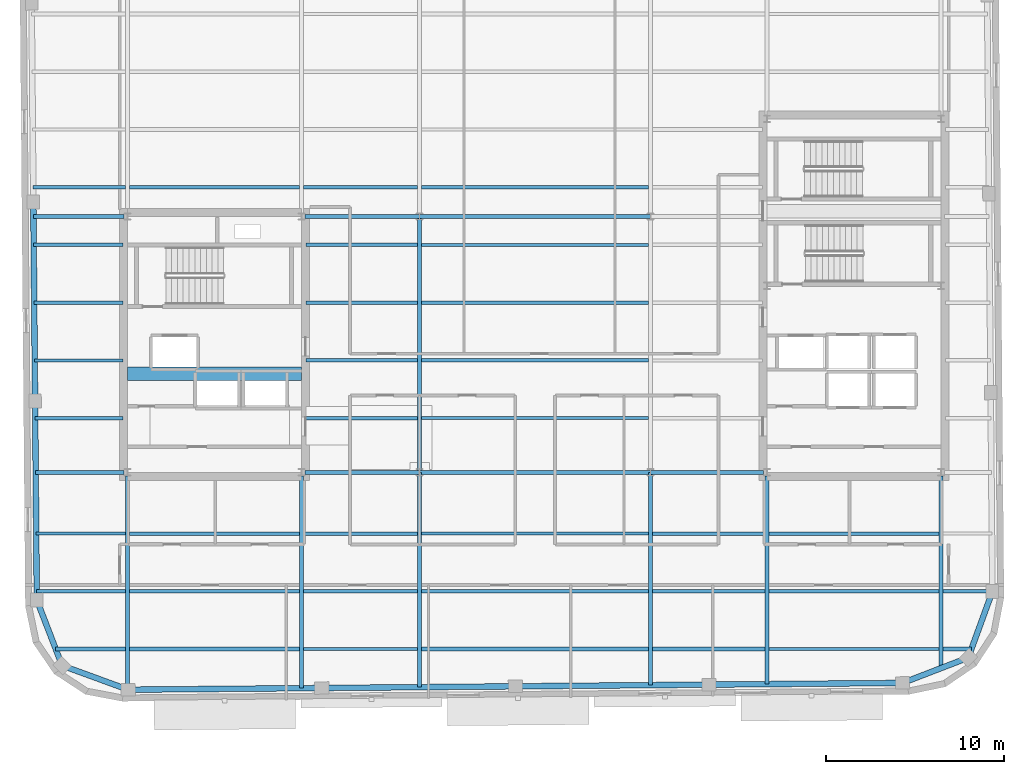
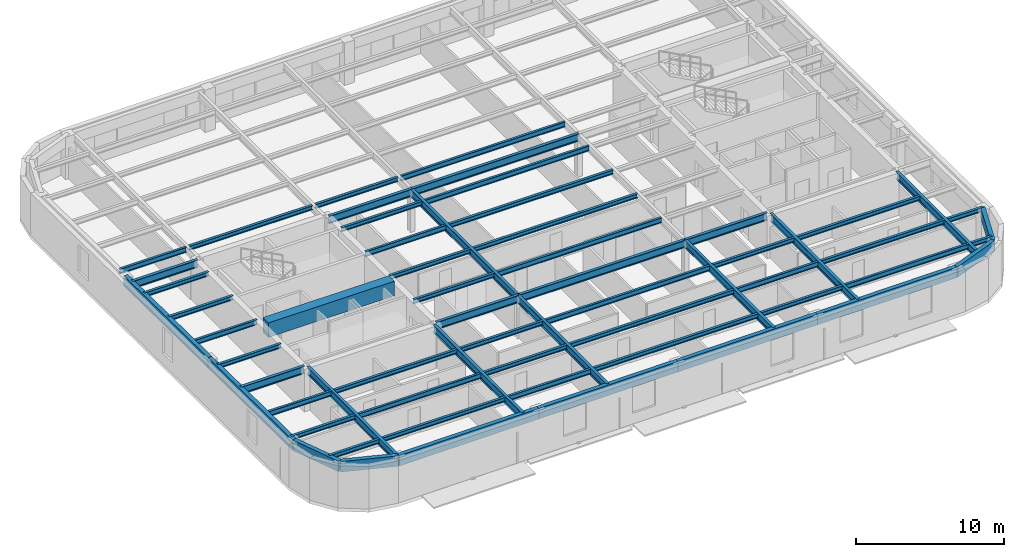
# One storey, part 4 of 13: 61 beams.
"""IFC4 building model written with IfcOpenShell, lengths in metres."""

from ifc_helpers import new_model, si_unit, direction, frame, origin, origin_2d, place, context, subcontext, project, spatial, rectangle, hollow_rectangle, i_section, extrude, material, material_profile, profile_set, type_object, element, save


model = new_model("IFC4")

# Units and contexts
model_context = context("Model", 3, precision=1e-05, world=origin(), true_north=direction((0.0, 1.0)))
body_context = subcontext(model_context, "Body", "Model", "MODEL_VIEW")
ifc_project = project(units=[si_unit("LENGTHUNIT", "METRE"), si_unit("AREAUNIT", "SQUARE_METRE"), si_unit("VOLUMEUNIT", "CUBIC_METRE"), si_unit("PLANEANGLEUNIT", "RADIAN"), si_unit("MASSUNIT", "GRAM", prefix="KILO")], contexts=[model_context])

# Site, building, storey
site_placement = place(None, origin())
site = spatial("IfcSite", under=ifc_project, at=site_placement, CompositionType="ELEMENT")
building_placement = place(site_placement, origin())
building = spatial("IfcBuilding", under=site, at=building_placement, Name="Kolvaren Arena Tower", CompositionType="ELEMENT")
storey_placement = place(building_placement, frame((0.0, 0.0, 286.14990234375)))
storey = spatial("IfcBuildingStorey", under=building, at=storey_placement, Name="L70", CompositionType="ELEMENT", Elevation=286.14990234375)

# Beams
ifc_material_1 = material(Name="Steel CSA G40.21 350W", Category="steel")
ifc_material_profile_1 = material_profile(ifc_material_1, i_section(OverallWidth=0.180908203125, OverallDepth=0.4169921875, WebThickness=0.010986328125, FlangeThickness=0.018310546875, FilletRadius=0.011962890625, at=origin_2d()), Name="W410x85")
ifc_profile_set_1 = profile_set([ifc_material_profile_1], Name="Steel CSA G40.21 350W")
beam_type_1 = type_object("IfcBeamType", Name="BEAM-F3", PredefinedType="BEAM", material=ifc_profile_set_1)
beam_1_placement = place(storey_placement, frame((24.464111328125, 9.5, 3.271484375), z_axis=(1.0, 0.0, 0.0), x_axis=(0.0, 1.0, 0.0)))
element("IfcBeam", 1, at=beam_1_placement, inside=storey, type_object=beam_type_1, Name="Composite Floor Beam (L70)", PredefinedType="BEAM", context=body_context, shape_type="SweptSolid", body=[
    extrude(i_section(OverallWidth=0.180908203125, OverallDepth=0.4169921875, WebThickness=0.010986328125, FlangeThickness=0.018310546875, FilletRadius=0.011962890625, at=origin_2d()), origin(), (0.0, 0.0, 1.0), 6.421875),
])
for number, where, z_axis, x_axis, name in (
    (2, (50.6640625, 9.5, 3.271484375), (1.0, 0.0, 0.0), (0.0, 1.0, 0.0), "Composite Floor Beam (L70)"),
    (3, (14.6640625, 12.75, 3.271484375), (1.0, 0.0, 0.0), (0.0, 1.0, 0.0), "Composite Floor Beam (L70)"),
):
    element("IfcBeam", number, at=place(storey_placement, frame(where, z_axis=z_axis, x_axis=x_axis)), inside=storey, type_object=beam_type_1, Name=name, PredefinedType="BEAM", context=body_context, shape_type="SweptSolid", body=[
        extrude(i_section(OverallWidth=0.180908203125, OverallDepth=0.4169921875, WebThickness=0.010986328125, FlangeThickness=0.018310546875, FilletRadius=0.011962890625, at=origin_2d()), origin(), (0.0, 0.0, 1.0), 9.572021484375),
    ])
beam_2_placement = place(storey_placement, frame((44.114013671875, 12.75, 3.271484375), z_axis=(1.0, 0.0, 0.0), x_axis=(0.0, 1.0, 0.0)))
element("IfcBeam", 4, at=beam_2_placement, inside=storey, type_object=beam_type_1, Name="Composite Floor Beam (L70)", PredefinedType="BEAM", context=body_context, shape_type="SweptSolid", body=[
    extrude(i_section(OverallWidth=0.180908203125, OverallDepth=0.4169921875, WebThickness=0.010986328125, FlangeThickness=0.018310546875, FilletRadius=0.011962890625, at=origin_2d()), origin(), (0.0, 0.0, 1.0), 6.322021484375),
])
beam_3_placement = place(storey_placement, frame((9.4150390625, 16.0, 3.271484375), z_axis=(1.0, 0.0, 0.0), x_axis=(0.0, 1.0, 0.0)))
element("IfcBeam", 5, at=beam_3_placement, inside=storey, type_object=beam_type_1, Name="Composite Floor Beam (L70)", PredefinedType="BEAM", context=body_context, shape_type="SweptSolid", body=[
    extrude(i_section(OverallWidth=0.180908203125, OverallDepth=0.4169921875, WebThickness=0.010986328125, FlangeThickness=0.018310546875, FilletRadius=0.011962890625, at=origin_2d()), origin(), (0.0, 0.0, 1.0), 5.02099609375),
])
for number, where, z_axis, x_axis, name in (
    (6, (31.114013671875, 16.0, 3.271484375), (1.0, 0.0, 0.0), (0.0, 1.0, 0.0), "Composite Floor Beam (L70)"),
    (7, (31.114013671875, 22.5, 3.271484375), (1.0, 0.0, 0.0), (0.0, 1.0, 0.0), "Composite Floor Beam (L70)"),
):
    element("IfcBeam", number, at=place(storey_placement, frame(where, z_axis=z_axis, x_axis=x_axis)), inside=storey, type_object=beam_type_1, Name=name, PredefinedType="BEAM", context=body_context, shape_type="SweptSolid", body=[
        extrude(i_section(OverallWidth=0.180908203125, OverallDepth=0.4169921875, WebThickness=0.010986328125, FlangeThickness=0.018310546875, FilletRadius=0.011962890625, at=origin_2d()), origin(), (0.0, 0.0, 1.0), 12.77197265625),
    ])
beam_4_placement = place(storey_placement, frame((9.330078125, 25.75, 3.271484375), z_axis=(1.0, 0.0, 0.0), x_axis=(0.0, 1.0, 0.0)))
element("IfcBeam", 8, at=beam_4_placement, inside=storey, type_object=beam_type_1, Name="Composite Floor Beam (L70)", PredefinedType="BEAM", context=body_context, shape_type="SweptSolid", body=[
    extrude(i_section(OverallWidth=0.180908203125, OverallDepth=0.4169921875, WebThickness=0.010986328125, FlangeThickness=0.018310546875, FilletRadius=0.011962890625, at=origin_2d()), origin(), (0.0, 0.0, 1.0), 4.974853515625),
])
beam_5_placement = place(storey_placement, frame((24.594970703125, 29.0, 3.271484375), z_axis=(1.0, 0.0, 0.0), x_axis=(0.0, 1.0, 0.0)))
element("IfcBeam", 9, at=beam_5_placement, inside=storey, type_object=beam_type_1, Name="Composite Floor Beam (L70)", PredefinedType="BEAM", context=body_context, shape_type="SweptSolid", body=[
    extrude(i_section(OverallWidth=0.180908203125, OverallDepth=0.4169921875, WebThickness=0.010986328125, FlangeThickness=0.018310546875, FilletRadius=0.011962890625, at=origin_2d()), origin(), (0.0, 0.0, 1.0), 6.291015625),
])
beam_6_placement = place(storey_placement, frame((31.114013671875, 32.25, 3.271484375), z_axis=(1.0, 0.0, 0.0), x_axis=(0.0, 1.0, 0.0)))
element("IfcBeam", 10, at=beam_6_placement, inside=storey, type_object=beam_type_1, Name="Composite Floor Beam (L70)", PredefinedType="BEAM", context=body_context, shape_type="SweptSolid", body=[
    extrude(i_section(OverallWidth=0.180908203125, OverallDepth=0.4169921875, WebThickness=0.010986328125, FlangeThickness=0.018310546875, FilletRadius=0.011962890625, at=origin_2d()), origin(), (0.0, 0.0, 1.0), 12.77197265625),
])
beam_7_placement = place(storey_placement, frame((9.244873046875, 35.5, 3.271484375), z_axis=(1.0, 0.0, 0.0), x_axis=(0.0, 1.0, 0.0)))
element("IfcBeam", 11, at=beam_7_placement, inside=storey, type_object=beam_type_1, Name="Composite Floor Beam (L70)", PredefinedType="BEAM", context=body_context, shape_type="SweptSolid", body=[
    extrude(i_section(OverallWidth=0.180908203125, OverallDepth=0.4169921875, WebThickness=0.010986328125, FlangeThickness=0.018310546875, FilletRadius=0.011962890625, at=origin_2d()), origin(), (0.0, 0.0, 1.0), 5.191162109375),
])
beam_8_placement = place(storey_placement, frame((31.114013671875, 35.5, 3.271484375), z_axis=(1.0, 0.0, 0.0), x_axis=(0.0, 1.0, 0.0)))
element("IfcBeam", 12, at=beam_8_placement, inside=storey, type_object=beam_type_1, Name="Composite Floor Beam (L70)", PredefinedType="BEAM", context=body_context, shape_type="SweptSolid", body=[
    extrude(i_section(OverallWidth=0.180908203125, OverallDepth=0.4169921875, WebThickness=0.010986328125, FlangeThickness=0.018310546875, FilletRadius=0.011962890625, at=origin_2d()), origin(), (0.0, 0.0, 1.0), 12.77197265625),
])
ifc_material_2 = material(Name="Concrete 60 MPa", Category="concrete")
ifc_material_profile_2 = material_profile(ifc_material_2, rectangle(XDim=0.75, YDim=1.199951171875, at=origin_2d()), Name="RC-750x1200")
ifc_profile_set_2 = profile_set([ifc_material_profile_2], Name="Concrete 60 MPa")
beam_type_2 = type_object("IfcBeamType", Name="CB-CORE-2", PredefinedType="BEAM", material=ifc_profile_set_2)
beam_9_placement = place(storey_placement, frame((14.550048828125, 25.0, 3.150146484375), z_axis=(1.0, 0.0, 0.0), x_axis=(0.0, 1.0, 0.0)))
element("IfcBeam", 13, at=beam_9_placement, inside=storey, type_object=beam_type_2, Name="West Core Coupling Beam (L70)", PredefinedType="BEAM", context=body_context, shape_type="SweptSolid", body=[
    extrude(rectangle(XDim=0.75, YDim=1.199951171875, at=origin_2d()), origin(), (0.0, 0.0, 1.0), 9.800048828125),
])
ifc_material_profile_3 = material_profile(ifc_material_1, i_section(OverallWidth=0.22802734375, OverallDepth=0.615966796875, WebThickness=0.013916015625, FlangeThickness=0.02490234375, FilletRadius=0.014892578125, at=origin_2d()), Name="W610x174")
ifc_profile_set_3 = profile_set([ifc_material_profile_3], Name="Steel CSA G40.21 350W")
beam_type_3 = type_object("IfcBeamType", Name="GIRD-T3", PredefinedType="BEAM", material=ifc_profile_set_3)
beam_10_placement = place(storey_placement, frame((9.385009765625, 19.449951171875, 3.172119140625), z_axis=(1.0, 0.0, 0.0), x_axis=(0.0, 1.0, 0.0)))
element("IfcBeam", 14, at=beam_10_placement, inside=storey, type_object=beam_type_3, Name="Primary Floor Girder (L70)", PredefinedType="BEAM", context=body_context, shape_type="SweptSolid", body=[
    extrude(i_section(OverallWidth=0.22802734375, OverallDepth=0.615966796875, WebThickness=0.013916015625, FlangeThickness=0.02490234375, FilletRadius=0.014892578125, at=origin_2d()), origin(), (0.0, 0.0, 1.0), 4.9599609375),
])
beam_11_placement = place(storey_placement, frame((24.554931640625, 19.449951171875, 3.172119140625), z_axis=(1.0, 0.0, 0.0), x_axis=(0.0, 1.0, 0.0)))
element("IfcBeam", 15, at=beam_11_placement, inside=storey, type_object=beam_type_3, Name="Primary Floor Girder (L70)", PredefinedType="BEAM", context=body_context, shape_type="SweptSolid", body=[
    extrude(i_section(OverallWidth=0.22802734375, OverallDepth=0.615966796875, WebThickness=0.013916015625, FlangeThickness=0.02490234375, FilletRadius=0.014892578125, at=origin_2d()), origin(), (0.0, 0.0, 1.0), 6.445068359375),
])
beam_12_placement = place(storey_placement, frame((31.0, 19.449951171875, 3.172119140625), z_axis=(1.0, 0.0, 0.0), x_axis=(0.0, 1.0, 0.0)))
element("IfcBeam", 16, at=beam_12_placement, inside=storey, type_object=beam_type_3, Name="Primary Floor Girder (L70)", PredefinedType="BEAM", context=body_context, shape_type="SweptSolid", body=[
    extrude(i_section(OverallWidth=0.22802734375, OverallDepth=0.615966796875, WebThickness=0.013916015625, FlangeThickness=0.02490234375, FilletRadius=0.014892578125, at=origin_2d()), origin(), (0.0, 0.0, 1.0), 13.0),
])
beam_13_placement = place(storey_placement, frame((44.0, 19.449951171875, 3.172119140625), z_axis=(1.0, 0.0, 0.0), x_axis=(0.0, 1.0, 0.0)))
element("IfcBeam", 17, at=beam_13_placement, inside=storey, type_object=beam_type_3, Name="Primary Floor Girder (L70)", PredefinedType="BEAM", context=body_context, shape_type="SweptSolid", body=[
    extrude(i_section(OverallWidth=0.22802734375, OverallDepth=0.615966796875, WebThickness=0.013916015625, FlangeThickness=0.02490234375, FilletRadius=0.014892578125, at=origin_2d()), origin(), (0.0, 0.0, 1.0), 6.344970703125),
])
beam_14_placement = place(storey_placement, frame((9.25927734375, 33.85009765625, 3.172119140625), z_axis=(1.0, 0.0, 0.0), x_axis=(0.0, 1.0, 0.0)))
element("IfcBeam", 18, at=beam_14_placement, inside=storey, type_object=beam_type_3, Name="Primary Floor Girder (L70)", PredefinedType="BEAM", context=body_context, shape_type="SweptSolid", body=[
    extrude(i_section(OverallWidth=0.22802734375, OverallDepth=0.615966796875, WebThickness=0.013916015625, FlangeThickness=0.02490234375, FilletRadius=0.014892578125, at=origin_2d()), origin(), (0.0, 0.0, 1.0), 5.085693359375),
])
beam_15_placement = place(storey_placement, frame((24.554931640625, 33.85009765625, 3.172119140625), z_axis=(1.0, 0.0, 0.0), x_axis=(0.0, 1.0, 0.0)))
element("IfcBeam", 19, at=beam_15_placement, inside=storey, type_object=beam_type_3, Name="Primary Floor Girder (L70)", PredefinedType="BEAM", context=body_context, shape_type="SweptSolid", body=[
    extrude(i_section(OverallWidth=0.22802734375, OverallDepth=0.615966796875, WebThickness=0.013916015625, FlangeThickness=0.02490234375, FilletRadius=0.014892578125, at=origin_2d()), origin(), (0.0, 0.0, 1.0), 6.445068359375),
])
beam_16_placement = place(storey_placement, frame((31.0, 33.85009765625, 3.172119140625), z_axis=(1.0, 0.0, 0.0), x_axis=(0.0, 1.0, 0.0)))
element("IfcBeam", 20, at=beam_16_placement, inside=storey, type_object=beam_type_3, Name="Primary Floor Girder (L70)", PredefinedType="BEAM", context=body_context, shape_type="SweptSolid", body=[
    extrude(i_section(OverallWidth=0.22802734375, OverallDepth=0.615966796875, WebThickness=0.013916015625, FlangeThickness=0.02490234375, FilletRadius=0.014892578125, at=origin_2d()), origin(), (0.0, 0.0, 1.0), 13.0),
])
beam_17_placement = place(storey_placement, frame((14.550048828125, 7.225830078125, 3.172119140625), z_axis=(0.0, 1.0, 0.0), x_axis=(-1.0, 0.0, 0.0)))
element("IfcBeam", 21, at=beam_17_placement, inside=storey, type_object=beam_type_3, Name="Primary Floor Girder (L70)", PredefinedType="BEAM", context=body_context, shape_type="SweptSolid", body=[
    extrude(i_section(OverallWidth=0.22802734375, OverallDepth=0.615966796875, WebThickness=0.013916015625, FlangeThickness=0.02490234375, FilletRadius=0.014892578125, at=origin_2d()), origin(), (0.0, 0.0, 1.0), 12.019287109375),
])
beam_18_placement = place(storey_placement, frame((24.35009765625, 7.295654296875, 3.172119140625), z_axis=(0.0, 1.0, 0.0), x_axis=(-1.0, 0.0, 0.0)))
element("IfcBeam", 22, at=beam_18_placement, inside=storey, type_object=beam_type_3, Name="Primary Floor Girder (L70)", PredefinedType="BEAM", context=body_context, shape_type="SweptSolid", body=[
    extrude(i_section(OverallWidth=0.22802734375, OverallDepth=0.615966796875, WebThickness=0.013916015625, FlangeThickness=0.02490234375, FilletRadius=0.014892578125, at=origin_2d()), origin(), (0.0, 0.0, 1.0), 11.949462890625),
])
beam_19_placement = place(storey_placement, frame((31.0, 7.353759765625, 3.172119140625), z_axis=(0.0, 1.0, 0.0), x_axis=(-1.0, 0.0, 0.0)))
element("IfcBeam", 23, at=beam_19_placement, inside=storey, type_object=beam_type_3, Name="Primary Floor Girder (L70)", PredefinedType="BEAM", context=body_context, shape_type="SweptSolid", body=[
    extrude(i_section(OverallWidth=0.22802734375, OverallDepth=0.615966796875, WebThickness=0.013916015625, FlangeThickness=0.02490234375, FilletRadius=0.014892578125, at=origin_2d()), origin(), (0.0, 0.0, 1.0), 12.09619140625),
])
beam_20_placement = place(storey_placement, frame((31.0, 19.449951171875, 3.172119140625), z_axis=(0.0, 1.0, 0.0), x_axis=(-1.0, 0.0, 0.0)))
element("IfcBeam", 24, at=beam_20_placement, inside=storey, type_object=beam_type_3, Name="Primary Floor Girder (L70)", PredefinedType="BEAM", context=body_context, shape_type="SweptSolid", body=[
    extrude(i_section(OverallWidth=0.22802734375, OverallDepth=0.615966796875, WebThickness=0.013916015625, FlangeThickness=0.02490234375, FilletRadius=0.014892578125, at=origin_2d()), origin(), (0.0, 0.0, 1.0), 14.400146484375),
])
beam_21_placement = place(storey_placement, frame((44.0, 7.46728515625, 3.172119140625), z_axis=(0.0, 1.0, 0.0), x_axis=(-1.0, 0.0, 0.0)))
element("IfcBeam", 25, at=beam_21_placement, inside=storey, type_object=beam_type_3, Name="Primary Floor Girder (L70)", PredefinedType="BEAM", context=body_context, shape_type="SweptSolid", body=[
    extrude(i_section(OverallWidth=0.22802734375, OverallDepth=0.615966796875, WebThickness=0.013916015625, FlangeThickness=0.02490234375, FilletRadius=0.014892578125, at=origin_2d()), origin(), (0.0, 0.0, 1.0), 11.982666015625),
])
beam_22_placement = place(storey_placement, frame((50.550048828125, 7.5244140625, 3.172119140625), z_axis=(0.0, 1.0, 0.0), x_axis=(-1.0, 0.0, 0.0)))
element("IfcBeam", 26, at=beam_22_placement, inside=storey, type_object=beam_type_3, Name="Primary Floor Girder (L70)", PredefinedType="BEAM", context=body_context, shape_type="SweptSolid", body=[
    extrude(i_section(OverallWidth=0.22802734375, OverallDepth=0.615966796875, WebThickness=0.013916015625, FlangeThickness=0.02490234375, FilletRadius=0.014892578125, at=origin_2d()), origin(), (0.0, 0.0, 1.0), 11.720703125),
])
beam_23_placement = place(storey_placement, frame((60.35009765625, 8.4228515625, 3.172119140625), z_axis=(0.0, 1.0, 0.0), x_axis=(-1.0, 0.0, 0.0)))
element("IfcBeam", 27, at=beam_23_placement, inside=storey, type_object=beam_type_3, Name="Primary Floor Girder (L70)", PredefinedType="BEAM", context=body_context, shape_type="SweptSolid", body=[
    extrude(i_section(OverallWidth=0.22802734375, OverallDepth=0.615966796875, WebThickness=0.013916015625, FlangeThickness=0.02490234375, FilletRadius=0.014892578125, at=origin_2d()), origin(), (0.0, 0.0, 1.0), 10.822265625),
])
ifc_material_profile_4 = material_profile(ifc_material_1, i_section(OverallWidth=0.202880859375, OverallDepth=0.346923828125, WebThickness=0.0078125, FlangeThickness=0.013427734375, FilletRadius=0.010986328125, at=origin_2d()), Name="W360x64")
ifc_profile_set_4 = profile_set([ifc_material_profile_4], Name="Steel CSA G40.21 350W")
beam_type_4 = type_object("IfcBeamType", Name="JOIST-01", PredefinedType="JOIST", material=ifc_profile_set_4)
beam_24_placement = place(storey_placement, frame((10.5126953125, 9.5, 3.306640625), z_axis=(1.0, 0.0, 0.0), x_axis=(0.0, 1.0, 0.0)))
element("IfcBeam", 28, at=beam_24_placement, inside=storey, type_object=beam_type_4, Name="Composite Floor Joist (L70)", PredefinedType="JOIST", context=body_context, shape_type="SweptSolid", body=[
    extrude(i_section(OverallWidth=0.202880859375, OverallDepth=0.346923828125, WebThickness=0.0078125, FlangeThickness=0.013427734375, FilletRadius=0.010986328125, at=origin_2d()), origin(), (0.0, 0.0, 1.0), 3.92333984375),
])
beam_25_placement = place(storey_placement, frame((14.6640625, 9.5, 3.306640625), z_axis=(1.0, 0.0, 0.0), x_axis=(0.0, 1.0, 0.0)))
element("IfcBeam", 29, at=beam_25_placement, inside=storey, type_object=beam_type_4, Name="Composite Floor Joist (L70)", PredefinedType="JOIST", context=body_context, shape_type="SweptSolid", body=[
    extrude(i_section(OverallWidth=0.202880859375, OverallDepth=0.346923828125, WebThickness=0.0078125, FlangeThickness=0.013427734375, FilletRadius=0.010986328125, at=origin_2d()), origin(), (0.0, 0.0, 1.0), 9.572021484375),
])
beam_26_placement = place(storey_placement, frame((31.114013671875, 9.5, 3.306640625), z_axis=(1.0, 0.0, 0.0), x_axis=(0.0, 1.0, 0.0)))
element("IfcBeam", 30, at=beam_26_placement, inside=storey, type_object=beam_type_4, Name="Composite Floor Joist (L70)", PredefinedType="JOIST", context=body_context, shape_type="SweptSolid", body=[
    extrude(i_section(OverallWidth=0.202880859375, OverallDepth=0.346923828125, WebThickness=0.0078125, FlangeThickness=0.013427734375, FilletRadius=0.010986328125, at=origin_2d()), origin(), (0.0, 0.0, 1.0), 12.77197265625),
])
beam_27_placement = place(storey_placement, frame((44.114013671875, 9.5, 3.306640625), z_axis=(1.0, 0.0, 0.0), x_axis=(0.0, 1.0, 0.0)))
element("IfcBeam", 31, at=beam_27_placement, inside=storey, type_object=beam_type_4, Name="Composite Floor Joist (L70)", PredefinedType="JOIST", context=body_context, shape_type="SweptSolid", body=[
    extrude(i_section(OverallWidth=0.202880859375, OverallDepth=0.346923828125, WebThickness=0.0078125, FlangeThickness=0.013427734375, FilletRadius=0.010986328125, at=origin_2d()), origin(), (0.0, 0.0, 1.0), 6.322021484375),
])
beam_28_placement = place(storey_placement, frame((60.464111328125, 9.5, 3.306640625), z_axis=(1.0, 0.0, 0.0), x_axis=(0.0, 1.0, 0.0)))
element("IfcBeam", 32, at=beam_28_placement, inside=storey, type_object=beam_type_4, Name="Composite Floor Joist (L70)", PredefinedType="JOIST", context=body_context, shape_type="SweptSolid", body=[
    extrude(i_section(OverallWidth=0.202880859375, OverallDepth=0.346923828125, WebThickness=0.0078125, FlangeThickness=0.013427734375, FilletRadius=0.010986328125, at=origin_2d()), origin(), (0.0, 0.0, 1.0), 1.60009765625),
])
beam_29_placement = place(storey_placement, frame((9.443359375, 12.75, 3.306640625), z_axis=(1.0, 0.0, 0.0), x_axis=(0.0, 1.0, 0.0)))
element("IfcBeam", 33, at=beam_29_placement, inside=storey, type_object=beam_type_4, Name="Composite Floor Joist (L70)", PredefinedType="JOIST", context=body_context, shape_type="SweptSolid", body=[
    extrude(i_section(OverallWidth=0.202880859375, OverallDepth=0.346923828125, WebThickness=0.0078125, FlangeThickness=0.013427734375, FilletRadius=0.010986328125, at=origin_2d()), origin(), (0.0, 0.0, 1.0), 4.99267578125),
])
beam_30_placement = place(storey_placement, frame((24.464111328125, 12.75, 3.306640625), z_axis=(1.0, 0.0, 0.0), x_axis=(0.0, 1.0, 0.0)))
element("IfcBeam", 34, at=beam_30_placement, inside=storey, type_object=beam_type_4, Name="Composite Floor Joist (L70)", PredefinedType="JOIST", context=body_context, shape_type="SweptSolid", body=[
    extrude(i_section(OverallWidth=0.202880859375, OverallDepth=0.346923828125, WebThickness=0.0078125, FlangeThickness=0.013427734375, FilletRadius=0.010986328125, at=origin_2d()), origin(), (0.0, 0.0, 1.0), 6.421875),
])
beam_31_placement = place(storey_placement, frame((31.114013671875, 12.75, 3.306640625), z_axis=(1.0, 0.0, 0.0), x_axis=(0.0, 1.0, 0.0)))
element("IfcBeam", 35, at=beam_31_placement, inside=storey, type_object=beam_type_4, Name="Composite Floor Joist (L70)", PredefinedType="JOIST", context=body_context, shape_type="SweptSolid", body=[
    extrude(i_section(OverallWidth=0.202880859375, OverallDepth=0.346923828125, WebThickness=0.0078125, FlangeThickness=0.013427734375, FilletRadius=0.010986328125, at=origin_2d()), origin(), (0.0, 0.0, 1.0), 12.77197265625),
])
beam_32_placement = place(storey_placement, frame((50.6640625, 12.75, 3.306640625), z_axis=(1.0, 0.0, 0.0), x_axis=(0.0, 1.0, 0.0)))
element("IfcBeam", 36, at=beam_32_placement, inside=storey, type_object=beam_type_4, Name="Composite Floor Joist (L70)", PredefinedType="JOIST", context=body_context, shape_type="SweptSolid", body=[
    extrude(i_section(OverallWidth=0.202880859375, OverallDepth=0.346923828125, WebThickness=0.0078125, FlangeThickness=0.013427734375, FilletRadius=0.010986328125, at=origin_2d()), origin(), (0.0, 0.0, 1.0), 9.572021484375),
])
beam_33_placement = place(storey_placement, frame((60.464111328125, 12.75, 3.306640625), z_axis=(1.0, 0.0, 0.0), x_axis=(0.0, 1.0, 0.0)))
element("IfcBeam", 37, at=beam_33_placement, inside=storey, type_object=beam_type_4, Name="Composite Floor Joist (L70)", PredefinedType="JOIST", context=body_context, shape_type="SweptSolid", body=[
    extrude(i_section(OverallWidth=0.202880859375, OverallDepth=0.346923828125, WebThickness=0.0078125, FlangeThickness=0.013427734375, FilletRadius=0.010986328125, at=origin_2d()), origin(), (0.0, 0.0, 1.0), 2.781494140625),
])
beam_34_placement = place(storey_placement, frame((14.6640625, 16.0, 3.306640625), z_axis=(1.0, 0.0, 0.0), x_axis=(0.0, 1.0, 0.0)))
element("IfcBeam", 38, at=beam_34_placement, inside=storey, type_object=beam_type_4, Name="Composite Floor Joist (L70)", PredefinedType="JOIST", context=body_context, shape_type="SweptSolid", body=[
    extrude(i_section(OverallWidth=0.202880859375, OverallDepth=0.346923828125, WebThickness=0.0078125, FlangeThickness=0.013427734375, FilletRadius=0.010986328125, at=origin_2d()), origin(), (0.0, 0.0, 1.0), 9.572021484375),
])
beam_35_placement = place(storey_placement, frame((24.464111328125, 16.0, 3.306640625), z_axis=(1.0, 0.0, 0.0), x_axis=(0.0, 1.0, 0.0)))
element("IfcBeam", 39, at=beam_35_placement, inside=storey, type_object=beam_type_4, Name="Composite Floor Joist (L70)", PredefinedType="JOIST", context=body_context, shape_type="SweptSolid", body=[
    extrude(i_section(OverallWidth=0.202880859375, OverallDepth=0.346923828125, WebThickness=0.0078125, FlangeThickness=0.013427734375, FilletRadius=0.010986328125, at=origin_2d()), origin(), (0.0, 0.0, 1.0), 6.421875),
])
beam_36_placement = place(storey_placement, frame((44.114013671875, 16.0, 3.306640625), z_axis=(1.0, 0.0, 0.0), x_axis=(0.0, 1.0, 0.0)))
element("IfcBeam", 40, at=beam_36_placement, inside=storey, type_object=beam_type_4, Name="Composite Floor Joist (L70)", PredefinedType="JOIST", context=body_context, shape_type="SweptSolid", body=[
    extrude(i_section(OverallWidth=0.202880859375, OverallDepth=0.346923828125, WebThickness=0.0078125, FlangeThickness=0.013427734375, FilletRadius=0.010986328125, at=origin_2d()), origin(), (0.0, 0.0, 1.0), 6.322021484375),
])
beam_37_placement = place(storey_placement, frame((50.6640625, 16.0, 3.306640625), z_axis=(1.0, 0.0, 0.0), x_axis=(0.0, 1.0, 0.0)))
element("IfcBeam", 41, at=beam_37_placement, inside=storey, type_object=beam_type_4, Name="Composite Floor Joist (L70)", PredefinedType="JOIST", context=body_context, shape_type="SweptSolid", body=[
    extrude(i_section(OverallWidth=0.202880859375, OverallDepth=0.346923828125, WebThickness=0.0078125, FlangeThickness=0.013427734375, FilletRadius=0.010986328125, at=origin_2d()), origin(), (0.0, 0.0, 1.0), 9.572021484375),
])
beam_38_placement = place(storey_placement, frame((9.3583984375, 22.5, 3.306640625), z_axis=(1.0, 0.0, 0.0), x_axis=(0.0, 1.0, 0.0)))
element("IfcBeam", 42, at=beam_38_placement, inside=storey, type_object=beam_type_4, Name="Composite Floor Joist (L70)", PredefinedType="JOIST", context=body_context, shape_type="SweptSolid", body=[
    extrude(i_section(OverallWidth=0.202880859375, OverallDepth=0.346923828125, WebThickness=0.0078125, FlangeThickness=0.013427734375, FilletRadius=0.010986328125, at=origin_2d()), origin(), (0.0, 0.0, 1.0), 4.946533203125),
])
for number, where, z_axis, x_axis, name in (
    (43, (24.594970703125, 22.5, 3.306640625), (1.0, 0.0, 0.0), (0.0, 1.0, 0.0), "Composite Floor Joist (L70)"),
    (44, (24.594970703125, 25.75, 3.306640625), (1.0, 0.0, 0.0), (0.0, 1.0, 0.0), "Composite Floor Joist (L70)"),
):
    element("IfcBeam", number, at=place(storey_placement, frame(where, z_axis=z_axis, x_axis=x_axis)), inside=storey, type_object=beam_type_4, Name=name, PredefinedType="JOIST", context=body_context, shape_type="SweptSolid", body=[
        extrude(i_section(OverallWidth=0.202880859375, OverallDepth=0.346923828125, WebThickness=0.0078125, FlangeThickness=0.013427734375, FilletRadius=0.010986328125, at=origin_2d()), origin(), (0.0, 0.0, 1.0), 6.291015625),
    ])
beam_39_placement = place(storey_placement, frame((31.114013671875, 25.75, 3.306640625), z_axis=(1.0, 0.0, 0.0), x_axis=(0.0, 1.0, 0.0)))
element("IfcBeam", 45, at=beam_39_placement, inside=storey, type_object=beam_type_4, Name="Composite Floor Joist (L70)", PredefinedType="JOIST", context=body_context, shape_type="SweptSolid", body=[
    extrude(i_section(OverallWidth=0.202880859375, OverallDepth=0.346923828125, WebThickness=0.0078125, FlangeThickness=0.013427734375, FilletRadius=0.010986328125, at=origin_2d()), origin(), (0.0, 0.0, 1.0), 12.77197265625),
])
beam_40_placement = place(storey_placement, frame((9.301513671875, 29.0, 3.306640625), z_axis=(1.0, 0.0, 0.0), x_axis=(0.0, 1.0, 0.0)))
element("IfcBeam", 46, at=beam_40_placement, inside=storey, type_object=beam_type_4, Name="Composite Floor Joist (L70)", PredefinedType="JOIST", context=body_context, shape_type="SweptSolid", body=[
    extrude(i_section(OverallWidth=0.202880859375, OverallDepth=0.346923828125, WebThickness=0.0078125, FlangeThickness=0.013427734375, FilletRadius=0.010986328125, at=origin_2d()), origin(), (0.0, 0.0, 1.0), 5.00341796875),
])
beam_41_placement = place(storey_placement, frame((31.114013671875, 29.0, 3.306640625), z_axis=(1.0, 0.0, 0.0), x_axis=(0.0, 1.0, 0.0)))
element("IfcBeam", 47, at=beam_41_placement, inside=storey, type_object=beam_type_4, Name="Composite Floor Joist (L70)", PredefinedType="JOIST", context=body_context, shape_type="SweptSolid", body=[
    extrude(i_section(OverallWidth=0.202880859375, OverallDepth=0.346923828125, WebThickness=0.0078125, FlangeThickness=0.013427734375, FilletRadius=0.010986328125, at=origin_2d()), origin(), (0.0, 0.0, 1.0), 12.77197265625),
])
beam_42_placement = place(storey_placement, frame((9.273193359375, 32.25, 3.306640625), z_axis=(1.0, 0.0, 0.0), x_axis=(0.0, 1.0, 0.0)))
element("IfcBeam", 48, at=beam_42_placement, inside=storey, type_object=beam_type_4, Name="Composite Floor Joist (L70)", PredefinedType="JOIST", context=body_context, shape_type="SweptSolid", body=[
    extrude(i_section(OverallWidth=0.202880859375, OverallDepth=0.346923828125, WebThickness=0.0078125, FlangeThickness=0.013427734375, FilletRadius=0.010986328125, at=origin_2d()), origin(), (0.0, 0.0, 1.0), 5.03173828125),
])
beam_43_placement = place(storey_placement, frame((24.594970703125, 32.25, 3.306640625), z_axis=(1.0, 0.0, 0.0), x_axis=(0.0, 1.0, 0.0)))
element("IfcBeam", 49, at=beam_43_placement, inside=storey, type_object=beam_type_4, Name="Composite Floor Joist (L70)", PredefinedType="JOIST", context=body_context, shape_type="SweptSolid", body=[
    extrude(i_section(OverallWidth=0.202880859375, OverallDepth=0.346923828125, WebThickness=0.0078125, FlangeThickness=0.013427734375, FilletRadius=0.010986328125, at=origin_2d()), origin(), (0.0, 0.0, 1.0), 6.291015625),
])
beam_44_placement = place(storey_placement, frame((14.6640625, 35.5, 3.306640625), z_axis=(1.0, 0.0, 0.0), x_axis=(0.0, 1.0, 0.0)))
element("IfcBeam", 50, at=beam_44_placement, inside=storey, type_object=beam_type_4, Name="Composite Floor Joist (L70)", PredefinedType="JOIST", context=body_context, shape_type="SweptSolid", body=[
    extrude(i_section(OverallWidth=0.202880859375, OverallDepth=0.346923828125, WebThickness=0.0078125, FlangeThickness=0.013427734375, FilletRadius=0.010986328125, at=origin_2d()), origin(), (0.0, 0.0, 1.0), 9.572021484375),
])
beam_45_placement = place(storey_placement, frame((24.464111328125, 35.5, 3.306640625), z_axis=(1.0, 0.0, 0.0), x_axis=(0.0, 1.0, 0.0)))
element("IfcBeam", 51, at=beam_45_placement, inside=storey, type_object=beam_type_4, Name="Composite Floor Joist (L70)", PredefinedType="JOIST", context=body_context, shape_type="SweptSolid", body=[
    extrude(i_section(OverallWidth=0.202880859375, OverallDepth=0.346923828125, WebThickness=0.0078125, FlangeThickness=0.013427734375, FilletRadius=0.010986328125, at=origin_2d()), origin(), (0.0, 0.0, 1.0), 6.421875),
])
ifc_material_3 = material(Name="Steel CSA G40.21 350WT", Category="steel")
ifc_material_profile_5 = material_profile(ifc_material_3, hollow_rectangle(XDim=0.320068359375, YDim=0.860107421875, WallThickness=0.01806640625, at=origin_2d()), Name="HSS 860x320x18")
ifc_profile_set_5 = profile_set([ifc_material_profile_5], Name="Steel CSA G40.21 350WT")
beam_type_5 = type_object("IfcBeamType", Name="SPAND-02", PredefinedType="SPANDREL", material=ifc_profile_set_5)
for number, where, z_axis, x_axis, name in (
    (52, (14.591796875, 7.210693359375, 3.050048828125), (0.999962042393, 0.008712851036, 0.0), (-0.008712851036, 0.999962042393, 0.0), "Perimeter Spandrel Beam (L70)"),
    (53, (25.491455078125, 7.3056640625, 3.050048828125), (0.999961846999, 0.008735247404, 0.0), (-0.008735247404, 0.999961846999, 0.0), "Perimeter Spandrel Beam (L70)"),
    (54, (36.39111328125, 7.40087890625, 3.050048828125), (0.999961846999, 0.008735247404, 0.0), (-0.008735247404, 0.999961846999, 0.0), "Perimeter Spandrel Beam (L70)"),
):
    element("IfcBeam", number, at=place(storey_placement, frame(where, z_axis=z_axis, x_axis=x_axis)), inside=storey, type_object=beam_type_5, Name=name, PredefinedType="SPANDREL", context=body_context, shape_type="SweptSolid", body=[
        extrude(hollow_rectangle(XDim=0.320068359375, YDim=0.860107421875, WallThickness=0.01806640625, at=origin_2d()), origin(), (0.0, 0.0, 1.0), 10.900146484375),
    ])
beam_46_placement = place(storey_placement, frame((47.290771484375, 7.49609375, 3.050048828125), z_axis=(0.999962040693, 0.008713046184, 0.0), x_axis=(-0.008713046184, 0.999962040693, 0.0)))
element("IfcBeam", 55, at=beam_46_placement, inside=storey, type_object=beam_type_5, Name="Perimeter Spandrel Beam (L70)", PredefinedType="SPANDREL", context=body_context, shape_type="SweptSolid", body=[
    extrude(hollow_rectangle(XDim=0.320068359375, YDim=0.860107421875, WallThickness=0.01806640625, at=origin_2d()), origin(), (0.0, 0.0, 1.0), 10.89990234375),
])
for number, where, z_axis, x_axis, name in (
    (56, (58.190185546875, 7.591064453125, 3.050048828125), (0.933189846698, 0.359383792094, 0.0), (-0.359383792094, 0.933189846698, 0.0), "Perimeter Spandrel Beam (L70)"),
    (57, (61.88671875, 9.0146484375, 3.050048828125), (0.343059102458, 0.939313819882, 0.0), (-0.939313819882, 0.343059102458, 0.0), "Perimeter Spandrel Beam (L70)"),
):
    element("IfcBeam", number, at=place(storey_placement, frame(where, z_axis=z_axis, x_axis=x_axis)), inside=storey, type_object=beam_type_5, Name=name, PredefinedType="SPANDREL", context=body_context, shape_type="SweptSolid", body=[
        extrude(hollow_rectangle(XDim=0.320068359375, YDim=0.860107421875, WallThickness=0.01806640625, at=origin_2d()), origin(), (0.0, 0.0, 1.0), 3.961181640625),
    ])
beam_47_placement = place(storey_placement, frame((9.252197265625, 34.6650390625, 3.050048828125), z_axis=(0.008719394723, -0.999961985355, 0.0), x_axis=(0.999961985355, 0.008719394723, 0.0)))
element("IfcBeam", 58, at=beam_47_placement, inside=storey, type_object=beam_type_5, Name="Perimeter Spandrel Beam (L70)", PredefinedType="SPANDREL", context=body_context, shape_type="SweptSolid", body=[
    extrude(hollow_rectangle(XDim=0.320068359375, YDim=0.860107421875, WallThickness=0.01806640625, at=origin_2d()), origin(), (0.0, 0.0, 1.0), 11.199951171875),
])
beam_48_placement = place(storey_placement, frame((9.349853515625, 23.465576171875, 3.050048828125), z_axis=(0.008719204665, -0.999961987013, 0.0), x_axis=(0.999961987013, 0.008719204665, 0.0)))
element("IfcBeam", 59, at=beam_48_placement, inside=storey, type_object=beam_type_5, Name="Perimeter Spandrel Beam (L70)", PredefinedType="SPANDREL", context=body_context, shape_type="SweptSolid", body=[
    extrude(hollow_rectangle(XDim=0.320068359375, YDim=0.860107421875, WallThickness=0.01806640625, at=origin_2d()), origin(), (0.0, 0.0, 1.0), 11.2001953125),
])
beam_49_placement = place(storey_placement, frame((9.447509765625, 12.265869140625, 3.050048828125), z_axis=(0.359383792094, -0.933189846698, 0.0), x_axis=(0.933189846698, 0.359383792094, 0.0)))
element("IfcBeam", 60, at=beam_49_placement, inside=storey, type_object=beam_type_5, Name="Perimeter Spandrel Beam (L70)", PredefinedType="SPANDREL", context=body_context, shape_type="SweptSolid", body=[
    extrude(hollow_rectangle(XDim=0.320068359375, YDim=0.860107421875, WallThickness=0.01806640625, at=origin_2d()), origin(), (0.0, 0.0, 1.0), 3.961181640625),
])
beam_50_placement = place(storey_placement, frame((10.87109375, 8.5693359375, 3.050048828125), z_axis=(0.939333679924, -0.343004719736, 0.0), x_axis=(0.343004719736, 0.939333679924, 0.0)))
element("IfcBeam", 61, at=beam_50_placement, inside=storey, type_object=beam_type_5, Name="Perimeter Spandrel Beam (L70)", PredefinedType="SPANDREL", context=body_context, shape_type="SweptSolid", body=[
    extrude(hollow_rectangle(XDim=0.320068359375, YDim=0.860107421875, WallThickness=0.01806640625, at=origin_2d()), origin(), (0.0, 0.0, 1.0), 3.9609375),
])

save(model, "model.ifc")
